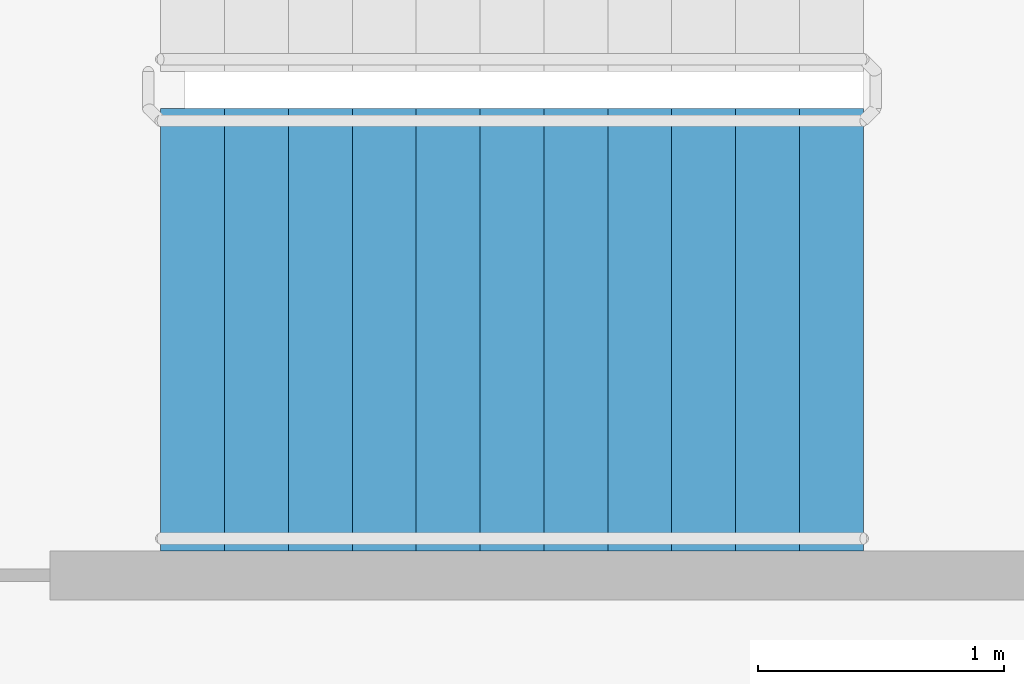
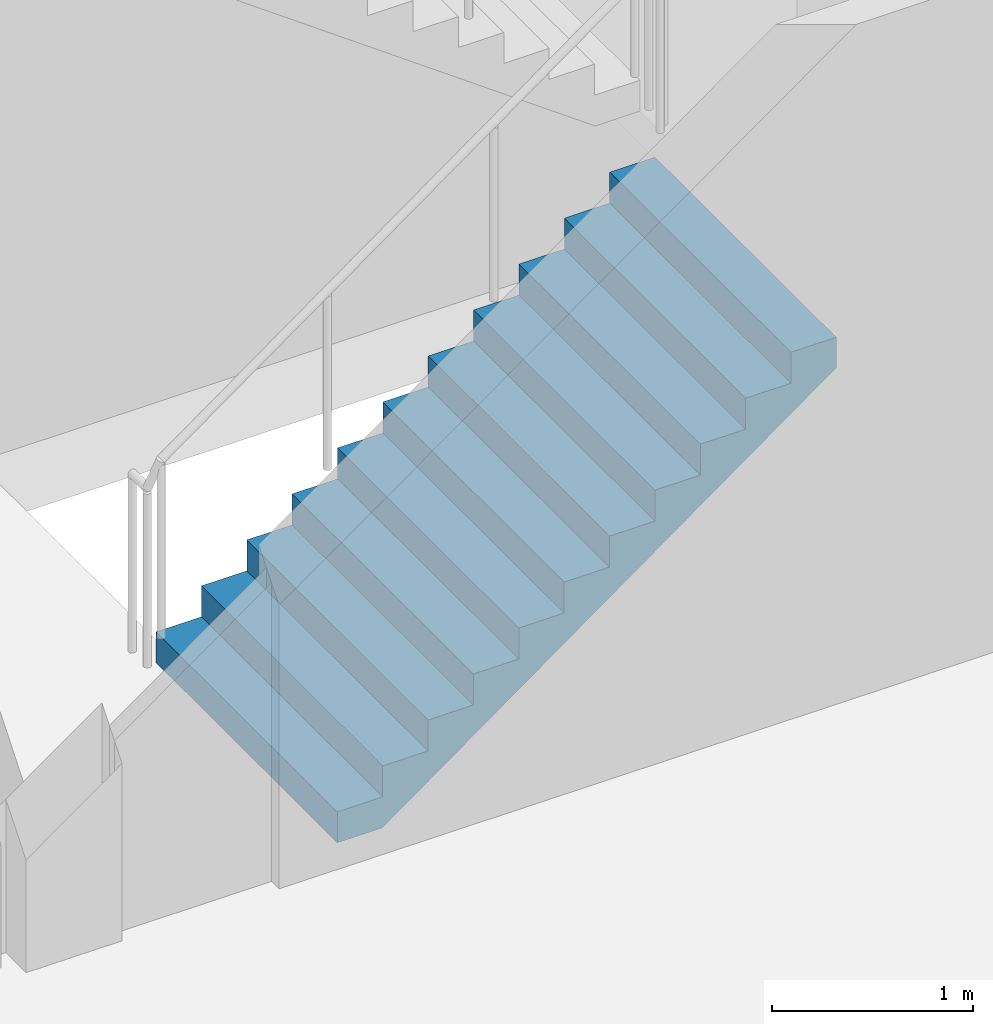
# One storey, part 44 of 49: 1 stair flight, 1 element without a shape of its own.
"""IFC4 building model written with IfcOpenShell, lengths in metres."""

from ifc_helpers import new_model, si_unit, direction, frame, origin, place, context, subcontext, project, spatial, faceted_brep, material, type_object, element, aggregate, save


model = new_model("IFC4")

# Units and contexts
model_context = context("Model", 3, precision=1e-05, world=origin(), true_north=direction((0.0, 1.0)))
body_context = subcontext(model_context, "Body", "Model", "MODEL_VIEW")
ifc_project = project(units=[si_unit("LENGTHUNIT", "METRE"), si_unit("AREAUNIT", "SQUARE_METRE"), si_unit("VOLUMEUNIT", "CUBIC_METRE"), si_unit("PLANEANGLEUNIT", "RADIAN"), si_unit("MASSUNIT", "GRAM", prefix="KILO")], contexts=[model_context])

# Site, building, storey
site_placement = place(None, origin())
site = spatial("IfcSite", under=ifc_project, at=site_placement, CompositionType="ELEMENT")
building_placement = place(site_placement, origin())
building = spatial("IfcBuilding", under=site, at=building_placement, Name="Ipe Terrace Towers", CompositionType="ELEMENT")
storey_placement = place(building_placement, frame((0.0, 0.0, 11.0)))
storey = spatial("IfcBuildingStorey", under=building, at=storey_placement, Name="L02", CompositionType="ELEMENT", Elevation=11.0)

# Stair, stair flight
ifc_material_1 = material(Name="Concrete C30/37", Category="concrete")
stair_type = type_object("IfcStairType", Name="Protected exit stair", PredefinedType="HALF_TURN_STAIR", material=ifc_material_1)
stair_placement = place(storey_placement, origin())
stair = element("IfcStair", 1, at=stair_placement, inside=storey, type_object=stair_type, Name="L02 Podium exit stair PS8", PredefinedType="HALF_TURN_STAIR")
ifc_material_2 = material(Name="Concrete C30/37", Category="concrete")
stair_flight_type = type_object("IfcStairFlightType", Name="Exit stair flight 1800", PredefinedType="STRAIGHT", material=ifc_material_2)
stair_flight_placement = place(storey_placement, frame((58.68994140625, 2.5, 0.0), z_axis=(0.0, 0.0, 1.0), x_axis=(1.0, 0.0, 0.0)))
stair_flight = element("IfcStairFlight", 2, at=stair_flight_placement, type_object=stair_flight_type, Name="PS8 flight 1", NumberOfRisers=12, NumberOfTreads=11, PredefinedType="STRAIGHT", RiserHeight=0.1875, TreadLength=0.26, context=body_context, shape_type="Brep", body=[
    faceted_brep([(0.25634765625, -0.89990234375, 0.0), (2.860107421875, -0.89990234375, 1.877685546875), (2.860107421875, -0.89990234375, 2.0625), (2.60009765625, -0.89990234375, 2.0625), (2.60009765625, -0.89990234375, 1.875), (2.340087890625, -0.89990234375, 1.875), (2.340087890625, -0.89990234375, 1.6875), (2.080078125, -0.89990234375, 1.6875), (2.080078125, -0.89990234375, 1.5), (1.820068359375, -0.89990234375, 1.5), (1.820068359375, -0.89990234375, 1.3125), (1.56005859375, -0.89990234375, 1.3125), (1.56005859375, -0.89990234375, 1.125), (1.300048828125, -0.89990234375, 1.125), (1.300048828125, -0.89990234375, 0.9375), (1.0400390625, -0.89990234375, 0.9375), (1.0400390625, -0.89990234375, 0.75), (0.780029296875, -0.89990234375, 0.75), (0.780029296875, -0.89990234375, 0.5625), (0.52001953125, -0.89990234375, 0.5625), (0.52001953125, -0.89990234375, 0.375), (0.260009765625, -0.89990234375, 0.375), (0.260009765625, -0.89990234375, 0.1875), (0.0, -0.89990234375, 0.1875), (0.0, -0.89990234375, 0.0), (0.0, 0.89990234375, 0.0), (0.0, 0.89990234375, 0.1875), (0.260009765625, 0.89990234375, 0.1875), (0.260009765625, 0.89990234375, 0.375), (0.52001953125, 0.89990234375, 0.375), (0.52001953125, 0.89990234375, 0.5625), (0.780029296875, 0.89990234375, 0.5625), (0.780029296875, 0.89990234375, 0.75), (1.0400390625, 0.89990234375, 0.75), (1.0400390625, 0.89990234375, 0.9375), (1.300048828125, 0.89990234375, 0.9375), (1.300048828125, 0.89990234375, 1.125), (1.56005859375, 0.89990234375, 1.125), (1.56005859375, 0.89990234375, 1.3125), (1.820068359375, 0.89990234375, 1.3125), (1.820068359375, 0.89990234375, 1.5), (2.080078125, 0.89990234375, 1.5), (2.080078125, 0.89990234375, 1.6875), (2.340087890625, 0.89990234375, 1.6875), (2.340087890625, 0.89990234375, 1.875), (2.60009765625, 0.89990234375, 1.875), (2.60009765625, 0.89990234375, 2.0625), (2.860107421875, 0.89990234375, 2.0625), (2.860107421875, 0.89990234375, 1.877685546875), (0.25634765625, 0.89990234375, 0.0), (0.0, -0.300048828125, 0.1875), (0.0, -0.1201171875, 0.1875), (0.0, -0.06005859375, 0.1875), (0.0, -0.030029296875, 0.1875), (0.0, -0.010009765625, 0.1875), (0.0, 0.0, 0.1875), (0.0, 0.010009765625, 0.1875), (0.0, 0.030029296875, 0.1875), (0.0, 0.06005859375, 0.1875), (0.0, 0.1201171875, 0.1875), (0.0, 0.300048828125, 0.1875), (0.0, 0.300048828125, 0.0), (0.0, 0.1201171875, 0.0), (0.0, 0.06005859375, 0.0), (0.0, 0.030029296875, 0.0), (0.0, 0.010009765625, 0.0), (0.0, 0.0, 0.0), (0.0, -0.010009765625, 0.0), (0.0, -0.030029296875, 0.0), (0.0, -0.06005859375, 0.0), (0.0, -0.1201171875, 0.0), (0.0, -0.300048828125, 0.0), (0.260009765625, -0.300048828125, 0.1875), (0.260009765625, -0.1201171875, 0.1875), (0.260009765625, -0.06005859375, 0.1875), (0.260009765625, -0.030029296875, 0.1875), (0.260009765625, -0.010009765625, 0.1875), (0.260009765625, 0.0, 0.1875), (0.260009765625, 0.010009765625, 0.1875), (0.260009765625, 0.030029296875, 0.1875), (0.260009765625, 0.06005859375, 0.1875), (0.260009765625, 0.1201171875, 0.1875), (0.260009765625, 0.300048828125, 0.1875), (0.260009765625, -0.300048828125, 0.375), (0.260009765625, -0.1201171875, 0.375), (0.260009765625, -0.06005859375, 0.375), (0.260009765625, -0.030029296875, 0.375), (0.260009765625, -0.010009765625, 0.375), (0.260009765625, 0.0, 0.375), (0.260009765625, 0.010009765625, 0.375), (0.260009765625, 0.030029296875, 0.375), (0.260009765625, 0.06005859375, 0.375), (0.260009765625, 0.1201171875, 0.375), (0.260009765625, 0.300048828125, 0.375), (0.52001953125, -0.300048828125, 0.375), (0.52001953125, -0.1201171875, 0.375), (0.52001953125, -0.06005859375, 0.375), (0.52001953125, -0.030029296875, 0.375), (0.52001953125, -0.010009765625, 0.375), (0.52001953125, 0.0, 0.375), (0.52001953125, 0.010009765625, 0.375), (0.52001953125, 0.030029296875, 0.375), (0.52001953125, 0.06005859375, 0.375), (0.52001953125, 0.1201171875, 0.375), (0.52001953125, 0.300048828125, 0.375), (0.52001953125, -0.300048828125, 0.5625), (0.52001953125, -0.1201171875, 0.5625), (0.52001953125, -0.06005859375, 0.5625), (0.52001953125, -0.030029296875, 0.5625), (0.52001953125, -0.010009765625, 0.5625), (0.52001953125, 0.0, 0.5625), (0.52001953125, 0.010009765625, 0.5625), (0.52001953125, 0.030029296875, 0.5625), (0.52001953125, 0.06005859375, 0.5625), (0.52001953125, 0.1201171875, 0.5625), (0.52001953125, 0.300048828125, 0.5625), (0.780029296875, -0.300048828125, 0.5625), (0.780029296875, -0.1201171875, 0.5625), (0.780029296875, -0.06005859375, 0.5625), (0.780029296875, -0.030029296875, 0.5625), (0.780029296875, -0.010009765625, 0.5625), (0.780029296875, 0.0, 0.5625), (0.780029296875, 0.010009765625, 0.5625), (0.780029296875, 0.030029296875, 0.5625), (0.780029296875, 0.06005859375, 0.5625), (0.780029296875, 0.1201171875, 0.5625), (0.780029296875, 0.300048828125, 0.5625), (0.780029296875, -0.300048828125, 0.75), (0.780029296875, -0.1201171875, 0.75), (0.780029296875, -0.06005859375, 0.75), (0.780029296875, -0.030029296875, 0.75), (0.780029296875, -0.010009765625, 0.75), (0.780029296875, 0.0, 0.75), (0.780029296875, 0.010009765625, 0.75), (0.780029296875, 0.030029296875, 0.75), (0.780029296875, 0.06005859375, 0.75), (0.780029296875, 0.1201171875, 0.75), (0.780029296875, 0.300048828125, 0.75), (1.0400390625, -0.300048828125, 0.75), (1.0400390625, -0.1201171875, 0.75), (1.0400390625, -0.06005859375, 0.75), (1.0400390625, -0.030029296875, 0.75), (1.0400390625, -0.010009765625, 0.75), (1.0400390625, 0.0, 0.75), (1.0400390625, 0.010009765625, 0.75), (1.0400390625, 0.030029296875, 0.75), (1.0400390625, 0.06005859375, 0.75), (1.0400390625, 0.1201171875, 0.75), (1.0400390625, 0.300048828125, 0.75), (1.0400390625, -0.300048828125, 0.9375), (1.0400390625, -0.1201171875, 0.9375), (1.0400390625, -0.06005859375, 0.9375), (1.0400390625, -0.030029296875, 0.9375), (1.0400390625, -0.010009765625, 0.9375), (1.0400390625, 0.0, 0.9375), (1.0400390625, 0.010009765625, 0.9375), (1.0400390625, 0.030029296875, 0.9375), (1.0400390625, 0.06005859375, 0.9375), (1.0400390625, 0.1201171875, 0.9375), (1.0400390625, 0.300048828125, 0.9375), (1.300048828125, -0.300048828125, 0.9375), (1.300048828125, -0.1201171875, 0.9375), (1.300048828125, -0.06005859375, 0.9375), (1.300048828125, -0.030029296875, 0.9375), (1.300048828125, -0.010009765625, 0.9375), (1.300048828125, 0.0, 0.9375), (1.300048828125, 0.010009765625, 0.9375), (1.300048828125, 0.030029296875, 0.9375), (1.300048828125, 0.06005859375, 0.9375), (1.300048828125, 0.1201171875, 0.9375), (1.300048828125, 0.300048828125, 0.9375), (1.300048828125, -0.300048828125, 1.125), (1.300048828125, -0.1201171875, 1.125), (1.300048828125, -0.06005859375, 1.125), (1.300048828125, -0.030029296875, 1.125), (1.300048828125, -0.010009765625, 1.125), (1.300048828125, 0.0, 1.125), (1.300048828125, 0.010009765625, 1.125), (1.300048828125, 0.030029296875, 1.125), (1.300048828125, 0.06005859375, 1.125), (1.300048828125, 0.1201171875, 1.125), (1.300048828125, 0.300048828125, 1.125), (1.56005859375, -0.300048828125, 1.125), (1.56005859375, -0.1201171875, 1.125), (1.56005859375, -0.06005859375, 1.125), (1.56005859375, -0.030029296875, 1.125), (1.56005859375, -0.010009765625, 1.125), (1.56005859375, 0.0, 1.125), (1.56005859375, 0.010009765625, 1.125), (1.56005859375, 0.030029296875, 1.125), (1.56005859375, 0.06005859375, 1.125), (1.56005859375, 0.1201171875, 1.125), (1.56005859375, 0.300048828125, 1.125), (1.56005859375, -0.300048828125, 1.3125), (1.56005859375, -0.1201171875, 1.3125), (1.56005859375, -0.06005859375, 1.3125), (1.56005859375, -0.030029296875, 1.3125), (1.56005859375, -0.010009765625, 1.3125), (1.56005859375, 0.0, 1.3125), (1.56005859375, 0.010009765625, 1.3125), (1.56005859375, 0.030029296875, 1.3125), (1.56005859375, 0.06005859375, 1.3125), (1.56005859375, 0.1201171875, 1.3125), (1.56005859375, 0.300048828125, 1.3125), (1.820068359375, -0.300048828125, 1.3125), (1.820068359375, -0.1201171875, 1.3125), (1.820068359375, -0.06005859375, 1.3125), (1.820068359375, -0.030029296875, 1.3125), (1.820068359375, -0.010009765625, 1.3125), (1.820068359375, 0.0, 1.3125), (1.820068359375, 0.010009765625, 1.3125), (1.820068359375, 0.030029296875, 1.3125), (1.820068359375, 0.06005859375, 1.3125), (1.820068359375, 0.1201171875, 1.3125), (1.820068359375, 0.300048828125, 1.3125), (1.820068359375, -0.300048828125, 1.5), (1.820068359375, -0.1201171875, 1.5), (1.820068359375, -0.06005859375, 1.5), (1.820068359375, -0.030029296875, 1.5), (1.820068359375, -0.010009765625, 1.5), (1.820068359375, 0.0, 1.5), (1.820068359375, 0.010009765625, 1.5), (1.820068359375, 0.030029296875, 1.5), (1.820068359375, 0.06005859375, 1.5), (1.820068359375, 0.1201171875, 1.5), (1.820068359375, 0.300048828125, 1.5), (2.080078125, -0.300048828125, 1.5), (2.080078125, -0.1201171875, 1.5), (2.080078125, -0.06005859375, 1.5), (2.080078125, -0.030029296875, 1.5), (2.080078125, -0.010009765625, 1.5), (2.080078125, 0.0, 1.5), (2.080078125, 0.010009765625, 1.5), (2.080078125, 0.030029296875, 1.5), (2.080078125, 0.06005859375, 1.5), (2.080078125, 0.1201171875, 1.5), (2.080078125, 0.300048828125, 1.5), (2.080078125, -0.300048828125, 1.6875), (2.080078125, -0.1201171875, 1.6875), (2.080078125, -0.06005859375, 1.6875), (2.080078125, -0.030029296875, 1.6875), (2.080078125, -0.010009765625, 1.6875), (2.080078125, 0.0, 1.6875), (2.080078125, 0.010009765625, 1.6875), (2.080078125, 0.030029296875, 1.6875), (2.080078125, 0.06005859375, 1.6875), (2.080078125, 0.1201171875, 1.6875), (2.080078125, 0.300048828125, 1.6875), (2.340087890625, -0.300048828125, 1.6875), (2.340087890625, -0.1201171875, 1.6875), (2.340087890625, -0.06005859375, 1.6875), (2.340087890625, -0.030029296875, 1.6875), (2.340087890625, -0.010009765625, 1.6875), (2.340087890625, 0.0, 1.6875), (2.340087890625, 0.010009765625, 1.6875), (2.340087890625, 0.030029296875, 1.6875), (2.340087890625, 0.06005859375, 1.6875), (2.340087890625, 0.1201171875, 1.6875), (2.340087890625, 0.300048828125, 1.6875), (2.340087890625, -0.300048828125, 1.875), (2.340087890625, -0.1201171875, 1.875), (2.340087890625, -0.06005859375, 1.875), (2.340087890625, -0.030029296875, 1.875), (2.340087890625, -0.010009765625, 1.875), (2.340087890625, 0.0, 1.875), (2.340087890625, 0.010009765625, 1.875), (2.340087890625, 0.030029296875, 1.875), (2.340087890625, 0.06005859375, 1.875), (2.340087890625, 0.1201171875, 1.875), (2.340087890625, 0.300048828125, 1.875), (2.60009765625, -0.300048828125, 1.875), (2.60009765625, -0.1201171875, 1.875), (2.60009765625, -0.06005859375, 1.875), (2.60009765625, -0.030029296875, 1.875), (2.60009765625, -0.010009765625, 1.875), (2.60009765625, 0.0, 1.875), (2.60009765625, 0.010009765625, 1.875), (2.60009765625, 0.030029296875, 1.875), (2.60009765625, 0.06005859375, 1.875), (2.60009765625, 0.1201171875, 1.875), (2.60009765625, 0.300048828125, 1.875), (2.60009765625, -0.300048828125, 2.0625), (2.60009765625, -0.1201171875, 2.0625), (2.60009765625, -0.06005859375, 2.0625), (2.60009765625, -0.030029296875, 2.0625), (2.60009765625, -0.010009765625, 2.0625), (2.60009765625, 0.0, 2.0625), (2.60009765625, 0.010009765625, 2.0625), (2.60009765625, 0.030029296875, 2.0625), (2.60009765625, 0.06005859375, 2.0625), (2.60009765625, 0.1201171875, 2.0625), (2.60009765625, 0.300048828125, 2.0625), (2.860107421875, -0.300048828125, 2.0625), (2.860107421875, -0.1201171875, 2.0625), (2.860107421875, -0.06005859375, 2.0625), (2.860107421875, -0.030029296875, 2.0625), (2.860107421875, -0.010009765625, 2.0625), (2.860107421875, 0.0, 2.0625), (2.860107421875, 0.010009765625, 2.0625), (2.860107421875, 0.030029296875, 2.0625), (2.860107421875, 0.06005859375, 2.0625), (2.860107421875, 0.1201171875, 2.0625), (2.860107421875, 0.300048828125, 2.0625), (2.860107421875, -0.300048828125, 1.877685546875), (2.860107421875, -0.1201171875, 1.877685546875), (2.860107421875, -0.06005859375, 1.877685546875), (2.860107421875, -0.030029296875, 1.877685546875), (2.860107421875, -0.010009765625, 1.877685546875), (2.860107421875, 0.0, 1.877685546875), (2.860107421875, 0.010009765625, 1.877685546875), (2.860107421875, 0.030029296875, 1.877685546875), (2.860107421875, 0.06005859375, 1.877685546875), (2.860107421875, 0.1201171875, 1.877685546875), (2.860107421875, 0.300048828125, 1.877685546875), (0.25634765625, -0.300048828125, 0.0), (0.25634765625, -0.1201171875, 0.0), (0.25634765625, -0.06005859375, 0.0), (0.25634765625, -0.030029296875, 0.0), (0.25634765625, -0.010009765625, 0.0), (0.25634765625, 0.0, 0.0), (0.25634765625, 0.010009765625, 0.0), (0.25634765625, 0.030029296875, 0.0), (0.25634765625, 0.06005859375, 0.0), (0.25634765625, 0.1201171875, 0.0), (0.25634765625, 0.300048828125, 0.0)], [[[0, 1, 2, 3, 4, 5, 6, 7, 8, 9, 10, 11, 12, 13, 14, 15, 16, 17, 18, 19, 20, 21, 22, 23, 24]], [[25, 26, 27, 28, 29, 30, 31, 32, 33, 34, 35, 36, 37, 38, 39, 40, 41, 42, 43, 44, 45, 46, 47, 48, 49]], [[23, 50, 51, 52, 53, 54, 55, 56, 57, 58, 59, 60, 26, 25, 61, 62, 63, 64, 65, 66, 67, 68, 69, 70, 71, 24]], [[22, 72, 73, 74, 75, 76, 77, 78, 79, 80, 81, 82, 27, 26, 60, 59, 58, 57, 56, 55, 54, 53, 52, 51, 50, 23]], [[21, 83, 84, 85, 86, 87, 88, 89, 90, 91, 92, 93, 28, 27, 82, 81, 80, 79, 78, 77, 76, 75, 74, 73, 72, 22]], [[20, 94, 95, 96, 97, 98, 99, 100, 101, 102, 103, 104, 29, 28, 93, 92, 91, 90, 89, 88, 87, 86, 85, 84, 83, 21]], [[19, 105, 106, 107, 108, 109, 110, 111, 112, 113, 114, 115, 30, 29, 104, 103, 102, 101, 100, 99, 98, 97, 96, 95, 94, 20]], [[18, 116, 117, 118, 119, 120, 121, 122, 123, 124, 125, 126, 31, 30, 115, 114, 113, 112, 111, 110, 109, 108, 107, 106, 105, 19]], [[17, 127, 128, 129, 130, 131, 132, 133, 134, 135, 136, 137, 32, 31, 126, 125, 124, 123, 122, 121, 120, 119, 118, 117, 116, 18]], [[16, 138, 139, 140, 141, 142, 143, 144, 145, 146, 147, 148, 33, 32, 137, 136, 135, 134, 133, 132, 131, 130, 129, 128, 127, 17]], [[15, 149, 150, 151, 152, 153, 154, 155, 156, 157, 158, 159, 34, 33, 148, 147, 146, 145, 144, 143, 142, 141, 140, 139, 138, 16]], [[14, 160, 161, 162, 163, 164, 165, 166, 167, 168, 169, 170, 35, 34, 159, 158, 157, 156, 155, 154, 153, 152, 151, 150, 149, 15]], [[13, 171, 172, 173, 174, 175, 176, 177, 178, 179, 180, 181, 36, 35, 170, 169, 168, 167, 166, 165, 164, 163, 162, 161, 160, 14]], [[12, 182, 183, 184, 185, 186, 187, 188, 189, 190, 191, 192, 37, 36, 181, 180, 179, 178, 177, 176, 175, 174, 173, 172, 171, 13]], [[11, 193, 194, 195, 196, 197, 198, 199, 200, 201, 202, 203, 38, 37, 192, 191, 190, 189, 188, 187, 186, 185, 184, 183, 182, 12]], [[10, 204, 205, 206, 207, 208, 209, 210, 211, 212, 213, 214, 39, 38, 203, 202, 201, 200, 199, 198, 197, 196, 195, 194, 193, 11]], [[9, 215, 216, 217, 218, 219, 220, 221, 222, 223, 224, 225, 40, 39, 214, 213, 212, 211, 210, 209, 208, 207, 206, 205, 204, 10]], [[8, 226, 227, 228, 229, 230, 231, 232, 233, 234, 235, 236, 41, 40, 225, 224, 223, 222, 221, 220, 219, 218, 217, 216, 215, 9]], [[7, 237, 238, 239, 240, 241, 242, 243, 244, 245, 246, 247, 42, 41, 236, 235, 234, 233, 232, 231, 230, 229, 228, 227, 226, 8]], [[6, 248, 249, 250, 251, 252, 253, 254, 255, 256, 257, 258, 43, 42, 247, 246, 245, 244, 243, 242, 241, 240, 239, 238, 237, 7]], [[5, 259, 260, 261, 262, 263, 264, 265, 266, 267, 268, 269, 44, 43, 258, 257, 256, 255, 254, 253, 252, 251, 250, 249, 248, 6]], [[4, 270, 271, 272, 273, 274, 275, 276, 277, 278, 279, 280, 45, 44, 269, 268, 267, 266, 265, 264, 263, 262, 261, 260, 259, 5]], [[3, 281, 282, 283, 284, 285, 286, 287, 288, 289, 290, 291, 46, 45, 280, 279, 278, 277, 276, 275, 274, 273, 272, 271, 270, 4]], [[2, 292, 293, 294, 295, 296, 297, 298, 299, 300, 301, 302, 47, 46, 291, 290, 289, 288, 287, 286, 285, 284, 283, 282, 281, 3]], [[1, 303, 304, 305, 306, 307, 308, 309, 310, 311, 312, 313, 48, 47, 302, 301, 300, 299, 298, 297, 296, 295, 294, 293, 292, 2]], [[0, 314, 315, 316, 317, 318, 319, 320, 321, 322, 323, 324, 49, 48, 313, 312, 311, 310, 309, 308, 307, 306, 305, 304, 303, 1]], [[24, 71, 70, 69, 68, 67, 66, 65, 64, 63, 62, 61, 25, 49, 324, 323, 322, 321, 320, 319, 318, 317, 316, 315, 314, 0]]]),
])
aggregate(stair, [stair_flight])

save(model, "model.ifc")
